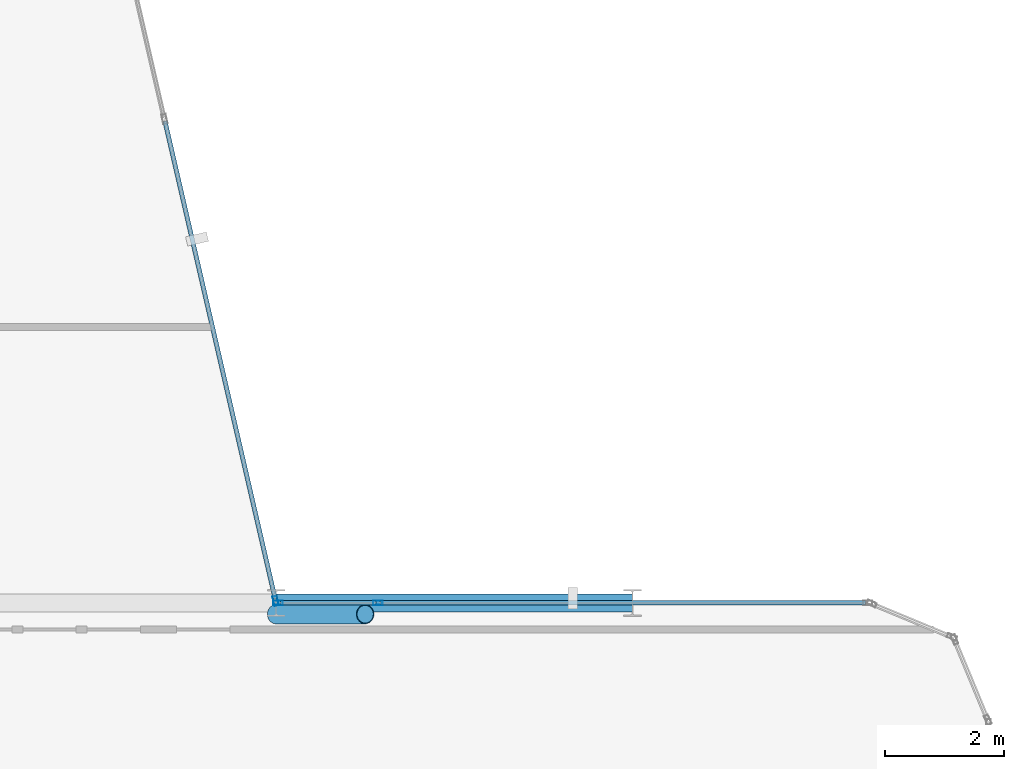
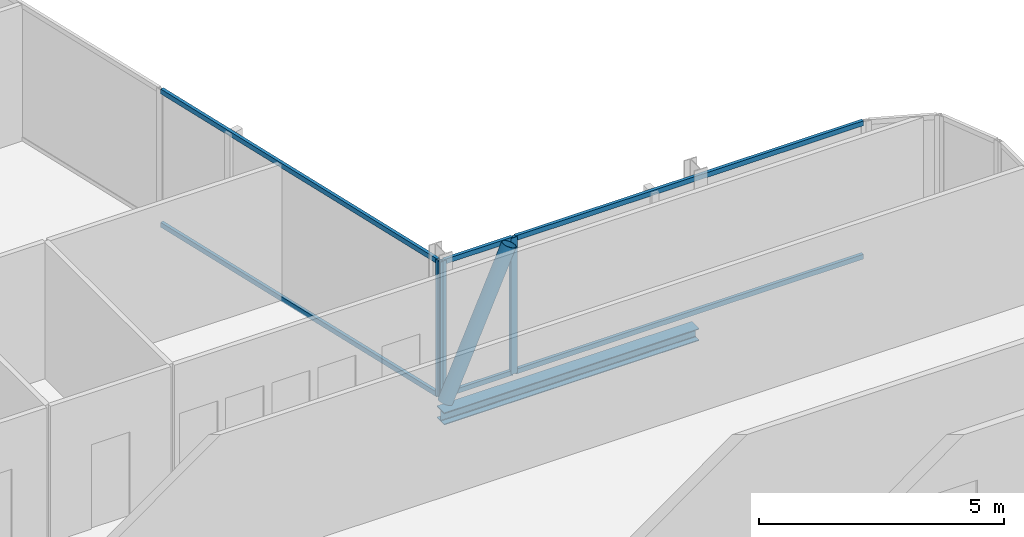
# One storey, part 14 of 29: 10 members, 1 beam, 3 elements without a shape of their own.
"""IFC4 building model written with IfcOpenShell, lengths in metres."""

from ifc_helpers import new_model, si_unit, direction, frame, origin, origin_2d, place, context, subcontext, project, spatial, hollow_rectangle, hollow_circle, i_section, extrude, material, layer, layer_set, material_profile, profile_set, type_object, element, aggregate, save


model = new_model("IFC4")

# Units and contexts
model_context = context("Model", 3, precision=1e-05, world=origin(), true_north=direction((0.0, 1.0)))
body_context = subcontext(model_context, "Body", "Model", "MODEL_VIEW")
ifc_project = project(units=[si_unit("LENGTHUNIT", "METRE"), si_unit("AREAUNIT", "SQUARE_METRE"), si_unit("VOLUMEUNIT", "CUBIC_METRE"), si_unit("PLANEANGLEUNIT", "RADIAN"), si_unit("MASSUNIT", "GRAM", prefix="KILO")], contexts=[model_context])

# Site, building, storey
site_placement = place(None, origin())
site = spatial("IfcSite", under=ifc_project, at=site_placement, CompositionType="ELEMENT")
building_placement = place(site_placement, origin())
building = spatial("IfcBuilding", under=site, at=building_placement, Name="Keshet Zoharim Tower", CompositionType="ELEMENT")
storey_placement = place(building_placement, frame((0.0, 0.0, 203.199951171875)))
storey = spatial("IfcBuildingStorey", under=building, at=storey_placement, Name="L50", CompositionType="ELEMENT", Elevation=203.199951171875)

# Beam
ifc_material_1 = material(Name="Steel S355", Category="steel")
ifc_material_profile_1 = material_profile(ifc_material_1, i_section(OverallWidth=0.300048828125, OverallDepth=0.300048828125, WebThickness=0.010986328125, FlangeThickness=0.01904296875, FilletRadius=0.027099609375, at=origin_2d()), Name="HEB300")
ifc_profile_set_1 = profile_set([ifc_material_profile_1], Name="Steel S355")
beam_type = type_object("IfcBeamType", Name="BM-PRI-HB300", PredefinedType="BEAM", material=ifc_profile_set_1)
beam_placement = place(storey_placement, frame((45.0, 27.89990234375, -0.4599609375), z_axis=(1.0, 0.0, 0.0), x_axis=(0.0, 1.0, 0.0)))
element("IfcBeam", 1, at=beam_placement, inside=storey, type_object=beam_type, Name="L50 Primary Girder X-016", PredefinedType="BEAM", context=body_context, shape_type="SweptSolid", body=[
    extrude(i_section(OverallWidth=0.300048828125, OverallDepth=0.300048828125, WebThickness=0.010986328125, FlangeThickness=0.01904296875, FilletRadius=0.027099609375, at=origin_2d()), origin(), (0.0, 0.0, 1.0), 6.0),
])

# Curtain wall, member
ifc_material_2 = material(Name="Aluminium 6063-T6", Category="aluminium")
ifc_layer = layer(ifc_material_2, 0.139892578125)
ifc_layer_set = layer_set([ifc_layer], Name="Aluminium 6063-T6")
curtain_wall_type = type_object("IfcCurtainWallType", Name="CW-SYS-05", PredefinedType="NOTDEFINED", material=ifc_layer_set)
curtain_wall_1_placement = place(storey_placement, origin())
curtain_wall_1 = element("IfcCurtainWall", 2, at=curtain_wall_1_placement, inside=storey, type_object=curtain_wall_type, Name="L50 Unitised Curtain Wall 19", PredefinedType="NOTDEFINED")
ifc_material_profile_2 = material_profile(ifc_material_2, hollow_rectangle(XDim=0.074951171875, YDim=0.159912109375, WallThickness=0.00390625, at=origin_2d()), Name="MUL-75x160")
ifc_profile_set_2 = profile_set([ifc_material_profile_2], Name="Aluminium 6063-T6")
member_type_1 = type_object("IfcMemberType", Name="CWM-M15", PredefinedType="MULLION", material=ifc_profile_set_2)
member_1_placement = place(storey_placement, frame((44.9921875, 27.93408203125, 0.0), z_axis=(0.0, 0.0, 1.0), x_axis=(0.974393882313, 0.224847864369, 0.0)))
member_1 = element("IfcMember", 3, at=member_1_placement, type_object=member_type_1, Name="CW-05 mullion 4", PredefinedType="MULLION", context=body_context, shape_type="SweptSolid", body=[
    extrude(hollow_rectangle(XDim=0.074951171875, YDim=0.159912109375, WallThickness=0.00390625, at=origin_2d()), origin(), (0.0, 0.0, 1.0), 3.39013671875),
])

# Curtain wall, members
curtain_wall_2_placement = place(storey_placement, origin())
curtain_wall_2 = element("IfcCurtainWall", 4, at=curtain_wall_2_placement, inside=storey, type_object=curtain_wall_type, Name="L50 Unitised Curtain Wall 20", PredefinedType="NOTDEFINED")
member_2_placement = place(storey_placement, frame((45.034912109375, 27.89990234375, 0.0), z_axis=(0.0, 0.0, 1.0), x_axis=(0.0, 1.0, 0.0)))
member_2 = element("IfcMember", 5, at=member_2_placement, type_object=member_type_1, Name="CW-05 mullion 1", PredefinedType="MULLION", context=body_context, shape_type="SweptSolid", body=[
    extrude(hollow_rectangle(XDim=0.074951171875, YDim=0.159912109375, WallThickness=0.00390625, at=origin_2d()), origin(), (0.0, 0.0, 1.0), 3.39013671875),
])
member_3_placement = place(storey_placement, frame((46.713134765625, 27.89990234375, 0.0), z_axis=(0.0, 0.0, 1.0), x_axis=(0.0, 1.0, 0.0)))
member_3 = element("IfcMember", 6, at=member_3_placement, type_object=member_type_1, Name="CW-05 mullion 2", PredefinedType="MULLION", context=body_context, shape_type="SweptSolid", body=[
    extrude(hollow_rectangle(XDim=0.074951171875, YDim=0.159912109375, WallThickness=0.00390625, at=origin_2d()), origin(), (0.0, 0.0, 1.0), 3.39013671875),
])

# Member
ifc_material_profile_3 = material_profile(ifc_material_2, hollow_rectangle(XDim=0.074951171875, YDim=0.1201171875, WallThickness=0.00390625, at=origin_2d()), Name="TRN-75x120")
ifc_profile_set_3 = profile_set([ifc_material_profile_3], Name="Aluminium 6063-T6")
member_type_2 = type_object("IfcMemberType", Name="CWT-T12", PredefinedType="USERDEFINED", material=ifc_profile_set_3)
member_4_placement = place(storey_placement, frame((43.127197265625, 36.015869140625, 0.03515625), z_axis=(0.224863824467, -0.974390199277, 0.0), x_axis=(0.974390199277, 0.224863824467, 0.0)))
member_4 = element("IfcMember", 7, at=member_4_placement, type_object=member_type_2, Name="CW-05 transom 3.1", ObjectType="TRANSOM", PredefinedType="USERDEFINED", context=body_context, shape_type="SweptSolid", body=[
    extrude(hollow_rectangle(XDim=0.074951171875, YDim=0.1201171875, WallThickness=0.00390625, at=origin_2d()), origin(), (0.0, 0.0, 1.0), 8.259033203125),
])

member_5_placement = place(storey_placement, frame((43.127197265625, 36.015869140625, 3.35498046875), z_axis=(0.224863824467, -0.974390199277, 0.0), x_axis=(0.974390199277, 0.224863824467, 0.0)))
member_5 = element("IfcMember", 8, at=member_5_placement, type_object=member_type_2, Name="CW-05 transom 3.2", ObjectType="TRANSOM", PredefinedType="USERDEFINED", context=body_context, shape_type="SweptSolid", body=[
    extrude(hollow_rectangle(XDim=0.074951171875, YDim=0.1201171875, WallThickness=0.00390625, at=origin_2d()), origin(), (0.0, 0.0, 1.0), 8.259033203125),
])

aggregate(curtain_wall_1, [member_1, member_4, member_5])

member_6_placement = place(storey_placement, frame((45.070068359375, 27.89990234375, 0.03515625), z_axis=(1.0, 0.0, 0.0), x_axis=(0.0, 1.0, 0.0)))
member_6 = element("IfcMember", 9, at=member_6_placement, type_object=member_type_2, Name="CW-05 transom 1.1", ObjectType="TRANSOM", PredefinedType="USERDEFINED", context=body_context, shape_type="SweptSolid", body=[
    extrude(hollow_rectangle(XDim=0.074951171875, YDim=0.1201171875, WallThickness=0.00390625, at=origin_2d()), origin(), (0.0, 0.0, 1.0), 1.60791015625),
])

member_7_placement = place(storey_placement, frame((45.070068359375, 27.89990234375, 3.35498046875), z_axis=(1.0, 0.0, 0.0), x_axis=(0.0, 1.0, 0.0)))
member_7 = element("IfcMember", 10, at=member_7_placement, type_object=member_type_2, Name="CW-05 transom 1.2", ObjectType="TRANSOM", PredefinedType="USERDEFINED", context=body_context, shape_type="SweptSolid", body=[
    extrude(hollow_rectangle(XDim=0.074951171875, YDim=0.1201171875, WallThickness=0.00390625, at=origin_2d()), origin(), (0.0, 0.0, 1.0), 1.60791015625),
])

aggregate(curtain_wall_2, [member_2, member_3, member_6, member_7])

# Curtain wall, members
curtain_wall_3_placement = place(storey_placement, origin())
curtain_wall_3 = element("IfcCurtainWall", 11, at=curtain_wall_3_placement, inside=storey, type_object=curtain_wall_type, Name="L50 Unitised Curtain Wall 20 Part 2", PredefinedType="NOTDEFINED")
member_8_placement = place(storey_placement, frame((46.748046875, 27.89990234375, 0.03515625), z_axis=(1.0, 0.0, 0.0), x_axis=(0.0, 1.0, 0.0)))
member_8 = element("IfcMember", 12, at=member_8_placement, type_object=member_type_2, Name="CW-05 transom 1.1", ObjectType="TRANSOM", PredefinedType="USERDEFINED", context=body_context, shape_type="SweptSolid", body=[
    extrude(hollow_rectangle(XDim=0.074951171875, YDim=0.1201171875, WallThickness=0.00390625, at=origin_2d()), origin(), (0.0, 0.0, 1.0), 8.181884765625),
])
member_9_placement = place(storey_placement, frame((46.748046875, 27.89990234375, 3.35498046875), z_axis=(1.0, 0.0, 0.0), x_axis=(0.0, 1.0, 0.0)))
member_9 = element("IfcMember", 13, at=member_9_placement, type_object=member_type_2, Name="CW-05 transom 1.2", ObjectType="TRANSOM", PredefinedType="USERDEFINED", context=body_context, shape_type="SweptSolid", body=[
    extrude(hollow_rectangle(XDim=0.074951171875, YDim=0.1201171875, WallThickness=0.00390625, at=origin_2d()), origin(), (0.0, 0.0, 1.0), 8.181884765625),
])
aggregate(curtain_wall_3, [member_8, member_9])

# Member
ifc_material_profile_4 = material_profile(ifc_material_1, hollow_circle(Radius=0.161865234375, WallThickness=0.012451171875, at=origin_2d()), Name="CHS323x12.5")
ifc_profile_set_4 = profile_set([ifc_material_profile_4], Name="Steel S355")
member_type_3 = type_object("IfcMemberType", Name="MB-BR-C323", PredefinedType="BRACE", material=ifc_profile_set_4)
member_10_placement = place(storey_placement, frame((45.0, 27.7099609375, 0.0), z_axis=(0.404622528463, 0.0, 0.914483793984), x_axis=(0.0, 1.0, 0.0)))
element("IfcMember", 14, at=member_10_placement, inside=storey, type_object=member_type_3, Name="L50 Perimeter Tube Brace 04", PredefinedType="BRACE", context=body_context, shape_type="SweptSolid", body=[
    extrude(hollow_circle(Radius=0.161865234375, WallThickness=0.012451171875, at=origin_2d()), origin(), (0.0, 0.0, 1.0), 3.707275390625),
])

save(model, "model.ifc")
